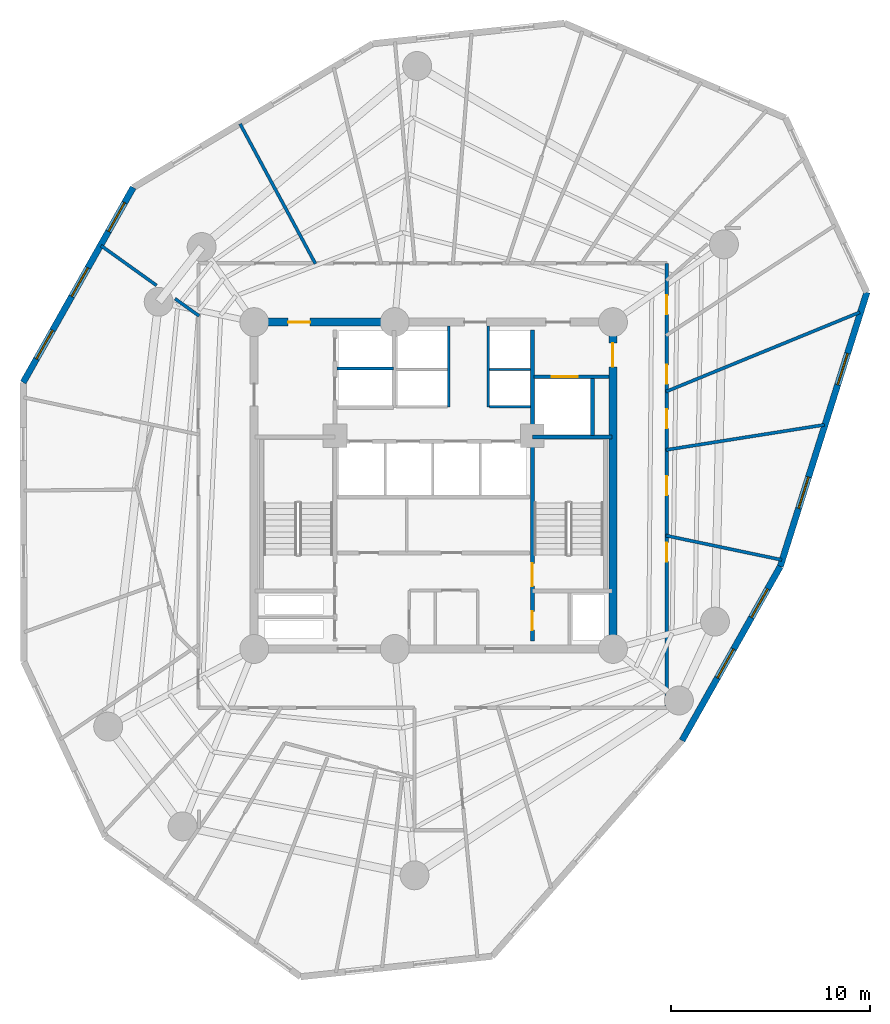
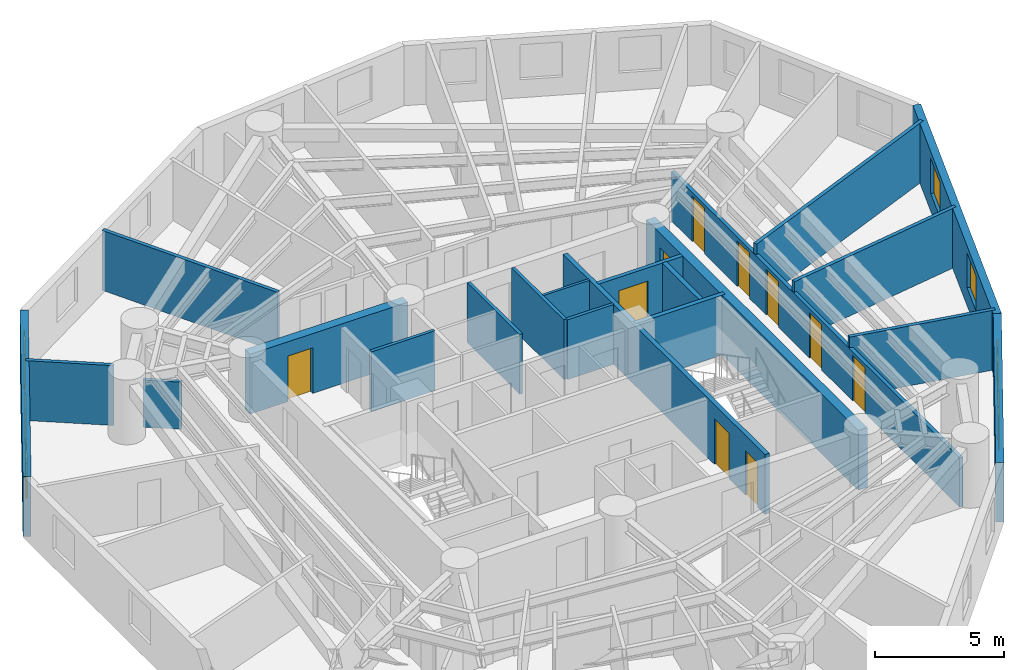
# One storey, part 5 of 8: 21 walls, 10 doors, 7 windows, 17 openings.
"""IFC4 building model written with IfcOpenShell, lengths in metres."""

import ifcopenshell
import ifcopenshell.guid

model = None  # the IFC model being written
_history = None  # IfcOwnerHistory: only IFC2X3 demands one
_inside = {}  # id of a spatial element -> (the spatial element, [elements in it])
_under = {}  # id of a project, library or spatial element -> (it, [spatial elements below it])
_declared = {}  # id of a project -> (the project, [libraries it declares])
_typed = {}  # id of a type object -> (the type object, [elements of that type])
_made_of = {}  # id of a material, layer set ... -> (it, [elements and type objects made of it])


def new_model(schema):
    """Start an empty IFC model of exactly this schema.

    Asked for "IFC4X3", IfcOpenShell would pick the latest addendum, in which some entities
    have other attributes; the version numbers below select the first issue.
    IFC2X3 requires an IfcOwnerHistory on every rooted entity: one is made here for all.
    """
    global model, _history
    if schema == "IFC4X3":
        model = ifcopenshell.file(schema_version=(4, 3, 0, 0))
    else:
        model = ifcopenshell.file(schema=schema)
    _inside.clear()
    _under.clear()
    _declared.clear()
    _typed.clear()
    _made_of.clear()
    _history = None
    if model.schema == "IFC2X3":
        org = make("IfcOrganization", Name="unknown")
        user = make(
            "IfcPersonAndOrganization",
            ThePerson=make("IfcPerson", FamilyName="unknown"),
            TheOrganization=org,
        )
        app = make(
            "IfcApplication",
            ApplicationDeveloper=org,
            Version="unknown",
            ApplicationFullName="unknown",
            ApplicationIdentifier="unknown",
        )
        _history = make(
            "IfcOwnerHistory",
            OwningUser=user,
            OwningApplication=app,
            ChangeAction="ADDED",
            CreationDate=0,
        )
    return model


def make(cls, **values):
    """One entity of the class cls with the attributes given. An attribute that is None is left unset."""
    return model.create_entity(
        cls, **{name: value for name, value in values.items() if value is not None}
    )


def rooted(cls, **values):
    """An entity with a GlobalId (a new one), such as an element, a storey or a relation."""
    return make(cls, GlobalId=ifcopenshell.guid.new(), OwnerHistory=_history, **values)


def si_unit(unit_type, name, prefix=None):
    """IfcSIUnit, for example si_unit("LENGTHUNIT", "METRE", prefix="MILLI")."""
    return make("IfcSIUnit", UnitType=unit_type, Prefix=prefix, Name=name)


def assignment(units):
    """IfcUnitAssignment: the units of a project."""
    return None if units is None else make("IfcUnitAssignment", Units=units)


def point(xyz):
    """IfcCartesianPoint."""
    return None if xyz is None else make("IfcCartesianPoint", Coordinates=xyz)


def direction(xyz):
    """IfcDirection."""
    return None if xyz is None else make("IfcDirection", DirectionRatios=xyz)


def frame(location, z_axis=None, x_axis=None):
    """IfcAxis2Placement3D, a coordinate frame: its origin and axes. An axis left out is left unset."""
    return make(
        "IfcAxis2Placement3D",
        Location=point(location),
        Axis=direction(z_axis),
        RefDirection=direction(x_axis),
    )


def frame_2d(location, x_axis=None):
    """IfcAxis2Placement2D, a coordinate frame in the plane: its origin and x axis."""
    return make(
        "IfcAxis2Placement2D", Location=point(location), RefDirection=direction(x_axis)
    )


def origin():
    """The frame at (0, 0, 0) with its axes left unset."""
    return frame((0.0, 0.0, 0.0))


def origin_with_axes():
    """The frame at (0, 0, 0) with the z axis (0, 0, 1) and the x axis (1, 0, 0) written out."""
    return frame((0.0, 0.0, 0.0), z_axis=(0.0, 0.0, 1.0), x_axis=(1.0, 0.0, 0.0))


def place(relative_to, where):
    """IfcLocalPlacement: puts the frame where relative to a parent placement (None: the world)."""
    return make(
        "IfcLocalPlacement", PlacementRelTo=relative_to, RelativePlacement=where
    )


def context(
    kind, dimensions, precision=None, world=None, true_north=None, identifier=None
):
    """IfcGeometricRepresentationContext, for example the 3D "Model" context."""
    return make(
        "IfcGeometricRepresentationContext",
        ContextIdentifier=identifier,
        ContextType=kind,
        CoordinateSpaceDimension=dimensions,
        Precision=precision,
        WorldCoordinateSystem=world,
        TrueNorth=true_north,
    )


def subcontext(parent, identifier, kind, view, scale=None):
    """IfcGeometricRepresentationSubContext, for example "Body" below "Model"."""
    return make(
        "IfcGeometricRepresentationSubContext",
        ContextIdentifier=identifier,
        ContextType=kind,
        ParentContext=parent,
        TargetScale=scale,
        TargetView=view,
    )


def project(units=None, contexts=None):
    """IfcProject with its units and contexts."""
    return rooted(
        "IfcProject",
        Name="project",
        RepresentationContexts=contexts,
        UnitsInContext=assignment(units),
    )


def spatial(cls, under=None, at=None, **own):
    """A site, building, storey or space (cls), placed at a placement, below another one or the project."""
    s = rooted(cls, ObjectPlacement=at, **own)
    if under is not None:
        _under.setdefault(under.id(), (under, []))[1].append(s)
    return s


def profile(cls, at=None, kind="AREA", **sizes):
    """A parametric profile (cls). Its sizes go by their IFC names, for example OverallWidth=200.0."""
    return make(cls, ProfileType=kind, Position=at, **sizes)


def rectangle(**sizes):
    """IfcRectangleProfileDef."""
    return profile("IfcRectangleProfileDef", **sizes)


def extrude(swept, where, along, depth):
    """IfcExtrudedAreaSolid: the profile swept, set in the frame where, extruded along a direction by depth."""
    return make(
        "IfcExtrudedAreaSolid",
        SweptArea=swept,
        Position=where,
        ExtrudedDirection=direction(along),
        Depth=depth,
    )


def shape(context_of_items, identifier, shape_type, items):
    """IfcShapeRepresentation: the items that make up one representation, for example the "Body"."""
    return make(
        "IfcShapeRepresentation",
        ContextOfItems=context_of_items,
        RepresentationIdentifier=identifier,
        RepresentationType=shape_type,
        Items=items,
    )


def source(mapping_origin, context_of_items, identifier, shape_type, items):
    """IfcRepresentationMap: a shape defined once, which mapped items show again and again."""
    return make(
        "IfcRepresentationMap",
        MappingOrigin=mapping_origin,
        MappedRepresentation=shape(context_of_items, identifier, shape_type, items),
    )


def transform(
    local_origin,
    x_axis=None,
    y_axis=None,
    z_axis=None,
    scale=None,
    scale2=None,
    scale3=None,
    uniform=True,
):
    """IfcCartesianTransformationOperator3D, or its non-uniform kind. x_axis, y_axis, z_axis: its Axis1, 2, 3."""
    if uniform:
        return make(
            "IfcCartesianTransformationOperator3D",
            Axis1=direction(x_axis),
            Axis2=direction(y_axis),
            LocalOrigin=point(local_origin),
            Scale=scale,
            Axis3=direction(z_axis),
        )
    return make(
        "IfcCartesianTransformationOperator3DnonUniform",
        Axis1=direction(x_axis),
        Axis2=direction(y_axis),
        LocalOrigin=point(local_origin),
        Scale=scale,
        Axis3=direction(z_axis),
        Scale2=scale2,
        Scale3=scale3,
    )


def mapped(mapping_source, mapping_target):
    """IfcMappedItem: shows the shape of a source again, moved by a transform."""
    return make(
        "IfcMappedItem", MappingSource=mapping_source, MappingTarget=mapping_target
    )


def material(Name=None, Category=None):
    """IfcMaterial."""
    return make("IfcMaterial", Name=Name, Category=Category)


def layer(
    of_material, thickness, ventilated=None, Name=None, Category=None, Priority=None
):
    """IfcMaterialLayer: one layer of a wall or slab, of a material (None: an air gap)."""
    return make(
        "IfcMaterialLayer",
        Material=of_material,
        LayerThickness=thickness,
        IsVentilated=ventilated,
        Name=Name,
        Category=Category,
        Priority=Priority,
    )


def layer_set(layers, Name=None):
    """IfcMaterialLayerSet."""
    return make("IfcMaterialLayerSet", MaterialLayers=layers, LayerSetName=Name)


def made_of(thing, what):
    """Note that an element or type object is made of a material, layer set ...; save() writes the relation."""
    if what is not None:
        _made_of.setdefault(what.id(), (what, []))[1].append(thing)
    return thing


def type_object(cls, material=None, **own):
    """A type object (cls), such as IfcWallType, which elements share."""
    return made_of(rooted(cls, **own), material)


def element(
    cls,
    number,
    at=None,
    inside=None,
    cuts=None,
    type_object=None,
    material=None,
    context=None,
    identifier="Body",
    shape_type=None,
    held_by="IfcProductDefinitionShape",
    body=None,
    shapes=None,
    **own,
):
    """One element of the class cls, such as IfcWall. Its Tag is "e" and its number.

    at: its placement. inside: the storey or other place that contains it. cuts: it is an
    opening in that element (IfcRelVoidsElement). A single representation is given by context,
    identifier, shape_type and body (its items); several are given by shapes. held_by: the class
    of the entity that holds the representations. save() writes the other relations.
    """
    e = rooted(cls, Tag="e%d" % number, ObjectPlacement=at, **own)
    if body is not None:
        shapes = [shape(context, identifier, shape_type, body)]
    if shapes is not None:
        e.Representation = make(held_by, Representations=shapes)
    if inside is not None:
        _inside.setdefault(inside.id(), (inside, []))[1].append(e)
    if cuts is not None:
        rooted(
            "IfcRelVoidsElement", RelatingBuildingElement=cuts, RelatedOpeningElement=e
        )
    if type_object is not None:
        _typed.setdefault(type_object.id(), (type_object, []))[1].append(e)
    return made_of(e, material)


def fill(opening, filler):
    """IfcRelFillsElement: the door or window that sits in an opening."""
    return rooted(
        "IfcRelFillsElement",
        RelatingOpeningElement=opening,
        RelatedBuildingElement=filler,
    )


def aggregate(whole, parts):
    """IfcRelAggregates: a whole, such as a stair, and the parts it consists of."""
    return rooted("IfcRelAggregates", RelatingObject=whole, RelatedObjects=parts)


def save(model, path):
    """Write the relations noted so far, then the file.

    IfcRelAggregates (storeys below a building ...), IfcRelContainedInSpatialStructure (elements
    in a storey), IfcRelDefinesByType, IfcRelAssociatesMaterial and IfcRelDeclares: one each for
    every whole, place, type object, material and project.
    """
    for whole, parts in _under.values():
        aggregate(whole, parts)
    for where, things in _inside.values():
        rooted(
            "IfcRelContainedInSpatialStructure",
            RelatedElements=things,
            RelatingStructure=where,
        )
    for kind, things in _typed.values():
        rooted("IfcRelDefinesByType", RelatedObjects=things, RelatingType=kind)
    for what, things in _made_of.values():
        rooted("IfcRelAssociatesMaterial", RelatedObjects=things, RelatingMaterial=what)
    for by, libraries in _declared.values():
        rooted("IfcRelDeclares", RelatingContext=by, RelatedDefinitions=libraries)
    model.write(path)


model = new_model("IFC4")

# Units and contexts
model_context = context("Model", 3, precision=1e-05, world=origin(), true_north=direction((0.0, 1.0)))
body_context = subcontext(model_context, "Body", "Model", "MODEL_VIEW")
ifc_project = project(units=[si_unit("LENGTHUNIT", "METRE"), si_unit("AREAUNIT", "SQUARE_METRE"), si_unit("VOLUMEUNIT", "CUBIC_METRE"), si_unit("PLANEANGLEUNIT", "RADIAN"), si_unit("MASSUNIT", "GRAM", prefix="KILO")], contexts=[model_context])

# Site, building, storey
site_placement = place(None, origin())
site = spatial("IfcSite", under=ifc_project, at=site_placement, CompositionType="ELEMENT")
building_placement = place(site_placement, origin())
building = spatial("IfcBuilding", under=site, at=building_placement, Name="Karkom Vertical University and Central Library", CompositionType="ELEMENT")
storey_placement = place(building_placement, frame((0.0, 0.0, 114.5)))
storey = spatial("IfcBuildingStorey", under=building, at=storey_placement, Name="L31", CompositionType="ELEMENT", Elevation=114.5)

# Wall, openings, windows
ifc_material_1 = material(Name="Brick-faced precast concrete C45/55", Category="masonry")
ifc_layer_1 = layer(ifc_material_1, 0.320068359375)
ifc_layer_set_1 = layer_set([ifc_layer_1], Name="Brick-faced precast concrete C45/55")
wall_type_1 = type_object("IfcWallType", Name="ENV-WL-BRK-320", PredefinedType="SOLIDWALL", material=ifc_layer_set_1)
wall_1_placement = place(storey_placement, frame((13.42919921875, 41.454345703125, 0.0), z_axis=(0.0, 0.0, 1.0), x_axis=(-0.491515668791, -0.870868731401, 0.0)))
wall_1 = element("IfcWall", 1, at=wall_1_placement, inside=storey, type_object=wall_type_1, Name="Level 31 Brick-Faced Precast Facade Wall 01", PredefinedType="SOLIDWALL", context=body_context, shape_type="SweptSolid", body=[
    extrude(rectangle(XDim=11.231689453125, YDim=0.320068359375, at=frame_2d((5.61572265625, 0.0))), origin(), (0.0, 0.0, 1.0), 2.824951171875),
])
opening_1_placement = place(wall_1_placement, frame((0.873779296875, 0.0, 0.85009765625)))
opening_1 = element("IfcOpeningElement", 2, at=opening_1_placement, cuts=wall_1, Name="Opening WN-06", PredefinedType="OPENING", context=body_context, shape_type="SweptSolid", body=[
    extrude(rectangle(XDim=1.64990234375, YDim=1.64990234375, at=frame_2d((0.824951171875, 0.824951171875))), frame((0.0, 0.169921875, 0.0), z_axis=(0.0, -1.0, 0.0), x_axis=(1.0, 0.0, 0.0)), (0.0, 0.0, 1.0), 0.340087890625),
])
opening_2_placement = place(wall_1_placement, frame((4.63134765625, 0.0, 0.85009765625)))
opening_2 = element("IfcOpeningElement", 3, at=opening_2_placement, cuts=wall_1, Name="Opening WN-06", PredefinedType="OPENING", context=body_context, shape_type="SweptSolid", body=[
    extrude(rectangle(XDim=1.64990234375, YDim=1.64990234375, at=frame_2d((0.824951171875, 0.824951171875))), frame((0.0, 0.169921875, 0.0), z_axis=(0.0, -1.0, 0.0), x_axis=(1.0, 0.0, 0.0)), (0.0, 0.0, 1.0), 0.340087890625),
])
opening_3_placement = place(wall_1_placement, frame((8.228271484375, 0.0, 0.85009765625)))
opening_3 = element("IfcOpeningElement", 4, at=opening_3_placement, cuts=wall_1, Name="Opening WN-06", PredefinedType="OPENING", context=body_context, shape_type="SweptSolid", body=[
    extrude(rectangle(XDim=1.64990234375, YDim=1.64990234375, at=frame_2d((0.824951171875, 0.824951171875))), frame((0.0, 0.169921875, 0.0), z_axis=(0.0, -1.0, 0.0), x_axis=(1.0, 0.0, 0.0)), (0.0, 0.0, 1.0), 0.340087890625),
])
ifc_material_2 = material(Name="Aluminium thermal-break frame with solar-control IGU", Category="aluminium")
window_type = type_object("IfcWindowType", Name="ENV-WIN-WN-06", PartitioningType="SINGLE_PANEL", PredefinedType="WINDOW", material=ifc_material_2)
shared_shape_1 = source(origin_with_axes(), body_context, "Body", "SweptSolid", [
    extrude(rectangle(XDim=1.64990234375, YDim=1.64990234375, at=frame_2d((0.824951171875, 0.824951171875))), frame((0.0, 0.030029296875, 0.0), z_axis=(0.0, -1.0, 0.0), x_axis=(1.0, 0.0, 0.0)), (0.0, 0.0, 1.0), 0.06005859375),
])
window_1_placement = place(opening_1_placement, origin())
window_1 = element("IfcWindow", 5, at=window_1_placement, inside=storey, type_object=window_type, Name="Level 31 Punched Window 1.1", OverallHeight=1.64990234375, OverallWidth=1.64990234375, PartitioningType="SINGLE_PANEL", PredefinedType="WINDOW", context=body_context, shape_type="MappedRepresentation", body=[
    mapped(shared_shape_1, transform((0.0, 0.0, 0.0), scale=1.0)),
])
fill(opening_1, window_1)
window_2_placement = place(opening_2_placement, origin())
window_2 = element("IfcWindow", 6, at=window_2_placement, inside=storey, type_object=window_type, Name="Level 31 Punched Window 1.2", OverallHeight=1.64990234375, OverallWidth=1.64990234375, PartitioningType="SINGLE_PANEL", PredefinedType="WINDOW", context=body_context, shape_type="MappedRepresentation", body=[
    mapped(shared_shape_1, transform((0.0, 0.0, 0.0), scale=1.0)),
])
fill(opening_2, window_2)
window_3_placement = place(opening_3_placement, origin())
window_3 = element("IfcWindow", 7, at=window_3_placement, inside=storey, type_object=window_type, Name="Level 31 Punched Window 1.3", OverallHeight=1.64990234375, OverallWidth=1.64990234375, PartitioningType="SINGLE_PANEL", PredefinedType="WINDOW", context=body_context, shape_type="MappedRepresentation", body=[
    mapped(shared_shape_1, transform((0.0, 0.0, 0.0), scale=1.0)),
])
fill(opening_3, window_3)

wall_2_placement = place(storey_placement, frame((40.9658203125, 13.706787109375, 0.0), z_axis=(0.0, 0.0, 1.0), x_axis=(0.491514859514, 0.870869188155, 0.0)))
wall_2 = element("IfcWall", 8, at=wall_2_placement, inside=storey, type_object=wall_type_1, Name="Level 31 Brick-Faced Precast Facade Wall 07", PredefinedType="SOLIDWALL", context=body_context, shape_type="SweptSolid", body=[
    extrude(rectangle(XDim=10.028076171875, YDim=0.320068359375, at=frame_2d((5.01416015625, 0.0))), origin(), (0.0, 0.0, 1.0), 2.824951171875),
])
opening_4_placement = place(wall_2_placement, frame((3.613037109375, 0.0, 0.85009765625)))
opening_4 = element("IfcOpeningElement", 9, at=opening_4_placement, cuts=wall_2, Name="Opening WN-06", PredefinedType="OPENING", context=body_context, shape_type="SweptSolid", body=[
    extrude(rectangle(XDim=1.64990234375, YDim=1.64990234375, at=frame_2d((0.824951171875, 0.824951171875))), frame((0.0, 0.169921875, 0.0), z_axis=(0.0, -1.0, 0.0), x_axis=(1.0, 0.0, 0.0)), (0.0, 0.0, 1.0), 0.340087890625),
])
opening_5_placement = place(wall_2_placement, frame((7.086181640625, 0.0, 0.85009765625)))
opening_5 = element("IfcOpeningElement", 10, at=opening_5_placement, cuts=wall_2, Name="Opening WN-06", PredefinedType="OPENING", context=body_context, shape_type="SweptSolid", body=[
    extrude(rectangle(XDim=1.64990234375, YDim=1.64990234375, at=frame_2d((0.824951171875, 0.824951171875))), frame((0.0, 0.169921875, 0.0), z_axis=(0.0, -1.0, 0.0), x_axis=(1.0, 0.0, 0.0)), (0.0, 0.0, 1.0), 0.340087890625),
])
window_4_placement = place(opening_4_placement, origin())
window_4 = element("IfcWindow", 11, at=window_4_placement, inside=storey, type_object=window_type, Name="Level 31 Punched Window 7.1", OverallHeight=1.64990234375, OverallWidth=1.64990234375, PartitioningType="SINGLE_PANEL", PredefinedType="WINDOW", context=body_context, shape_type="MappedRepresentation", body=[
    mapped(shared_shape_1, transform((0.0, 0.0, 0.0), scale=1.0)),
])
fill(opening_4, window_4)
window_5_placement = place(opening_5_placement, origin())
window_5 = element("IfcWindow", 12, at=window_5_placement, inside=storey, type_object=window_type, Name="Level 31 Punched Window 7.2", OverallHeight=1.64990234375, OverallWidth=1.64990234375, PartitioningType="SINGLE_PANEL", PredefinedType="WINDOW", context=body_context, shape_type="MappedRepresentation", body=[
    mapped(shared_shape_1, transform((0.0, 0.0, 0.0), scale=1.0)),
])
fill(opening_5, window_5)

wall_3_placement = place(storey_placement, frame((45.894775390625, 22.43994140625, 0.0), z_axis=(0.0, 0.0, 1.0), x_axis=(0.301307931006, 0.953526890399, 0.0)))
wall_3 = element("IfcWall", 13, at=wall_3_placement, inside=storey, type_object=wall_type_1, Name="Level 31 Brick-Faced Precast Facade Wall 08", PredefinedType="SOLIDWALL", context=body_context, shape_type="SweptSolid", body=[
    extrude(rectangle(XDim=14.426025390625, YDim=0.320068359375, at=frame_2d((7.212890625, 0.0))), origin(), (0.0, 0.0, 1.0), 2.824951171875),
])
opening_6_placement = place(wall_3_placement, frame((3.055419921875, 0.0, 0.85009765625)))
opening_6 = element("IfcOpeningElement", 14, at=opening_6_placement, cuts=wall_3, Name="Opening WN-06", PredefinedType="OPENING", context=body_context, shape_type="SweptSolid", body=[
    extrude(rectangle(XDim=1.64990234375, YDim=1.64990234375, at=frame_2d((0.824951171875, 0.824951171875))), frame((0.0, 0.169921875, 0.0), z_axis=(0.0, -1.0, 0.0), x_axis=(1.0, 0.0, 0.0)), (0.0, 0.0, 1.0), 0.340087890625),
])
opening_7_placement = place(wall_3_placement, frame((9.55908203125, 0.0, 0.85009765625)))
opening_7 = element("IfcOpeningElement", 15, at=opening_7_placement, cuts=wall_3, Name="Opening WN-06", PredefinedType="OPENING", context=body_context, shape_type="SweptSolid", body=[
    extrude(rectangle(XDim=1.64990234375, YDim=1.64990234375, at=frame_2d((0.824951171875, 0.824951171875))), frame((0.0, 0.169921875, 0.0), z_axis=(0.0, -1.0, 0.0), x_axis=(1.0, 0.0, 0.0)), (0.0, 0.0, 1.0), 0.340087890625),
])
window_6_placement = place(opening_6_placement, origin())
window_6 = element("IfcWindow", 16, at=window_6_placement, inside=storey, type_object=window_type, Name="Level 31 Punched Window 8.1", OverallHeight=1.64990234375, OverallWidth=1.64990234375, PartitioningType="SINGLE_PANEL", PredefinedType="WINDOW", context=body_context, shape_type="MappedRepresentation", body=[
    mapped(shared_shape_1, transform((0.0, 0.0, 0.0), scale=1.0)),
])
fill(opening_6, window_6)
window_7_placement = place(opening_7_placement, origin())
window_7 = element("IfcWindow", 17, at=window_7_placement, inside=storey, type_object=window_type, Name="Level 31 Punched Window 8.2", OverallHeight=1.64990234375, OverallWidth=1.64990234375, PartitioningType="SINGLE_PANEL", PredefinedType="WINDOW", context=body_context, shape_type="MappedRepresentation", body=[
    mapped(shared_shape_1, transform((0.0, 0.0, 0.0), scale=1.0)),
])
fill(opening_7, window_7)

# Wall, openings, doors
ifc_material_3 = material(Name="Insulated metal-stud drywall 160mm", Category="gypsum")
ifc_layer_2 = layer(ifc_material_3, 0.159912109375)
ifc_layer_set_2 = layer_set([ifc_layer_2], Name="Insulated metal-stud drywall 160mm")
wall_type_2 = type_object("IfcWallType", Name="INT-WL-COR-160", PredefinedType="PARTITIONING", material=ifc_layer_set_2)
wall_4_placement = place(storey_placement, frame((40.199951171875, 37.64990234375, 0.0), z_axis=(0.0, 0.0, 1.0), x_axis=(0.0, -1.0, 0.0)))
wall_4 = element("IfcWall", 18, at=wall_4_placement, inside=storey, type_object=wall_type_2, Name="Level 31 Interior Partition Wall L31-CORW-CW-004", PredefinedType="PARTITIONING", context=body_context, shape_type="SweptSolid", body=[
    extrude(rectangle(XDim=22.2998046875, YDim=0.159912109375, at=frame_2d((11.14990234375, 0.0))), origin(), (0.0, 0.0, 1.0), 2.324951171875),
])
opening_8_placement = place(wall_4_placement, frame((14.02001953125, 0.0, 0.0)))
opening_8 = element("IfcOpeningElement", 19, at=opening_8_placement, cuts=wall_4, Name="Opening D-RM1", PredefinedType="OPENING", context=body_context, shape_type="SweptSolid", body=[
    extrude(rectangle(XDim=0.949951171875, YDim=2.14990234375, at=frame_2d((0.47509765625, 1.074951171875))), frame((0.0, 0.08984375, 0.0), z_axis=(0.0, -1.0, 0.0), x_axis=(1.0, 0.0, 0.0)), (0.0, 0.0, 1.0), 0.179931640625),
])
opening_9_placement = place(wall_4_placement, frame((10.675048828125, 0.0, 0.0)))
opening_9 = element("IfcOpeningElement", 20, at=opening_9_placement, cuts=wall_4, Name="Opening D-RM1", PredefinedType="OPENING", context=body_context, shape_type="SweptSolid", body=[
    extrude(rectangle(XDim=0.949951171875, YDim=2.14990234375, at=frame_2d((0.47509765625, 1.074951171875))), frame((0.0, 0.08984375, 0.0), z_axis=(0.0, -1.0, 0.0), x_axis=(1.0, 0.0, 0.0)), (0.0, 0.0, 1.0), 0.179931640625),
])
opening_10_placement = place(wall_4_placement, frame((7.330078125, 0.0, 0.0)))
opening_10 = element("IfcOpeningElement", 21, at=opening_10_placement, cuts=wall_4, Name="Opening D-RM1", PredefinedType="OPENING", context=body_context, shape_type="SweptSolid", body=[
    extrude(rectangle(XDim=0.949951171875, YDim=2.14990234375, at=frame_2d((0.47509765625, 1.074951171875))), frame((0.0, 0.08984375, 0.0), z_axis=(0.0, -1.0, 0.0), x_axis=(1.0, 0.0, 0.0)), (0.0, 0.0, 1.0), 0.179931640625),
])
opening_11_placement = place(wall_4_placement, frame((5.10009765625, 0.0, 0.0)))
opening_11 = element("IfcOpeningElement", 22, at=opening_11_placement, cuts=wall_4, Name="Opening D-RM1", PredefinedType="OPENING", context=body_context, shape_type="SweptSolid", body=[
    extrude(rectangle(XDim=0.949951171875, YDim=2.14990234375, at=frame_2d((0.47509765625, 1.074951171875))), frame((0.0, 0.08984375, 0.0), z_axis=(0.0, -1.0, 0.0), x_axis=(1.0, 0.0, 0.0)), (0.0, 0.0, 1.0), 0.179931640625),
])
opening_12_placement = place(wall_4_placement, frame((1.61181640625, 0.0, 0.0)))
opening_12 = element("IfcOpeningElement", 23, at=opening_12_placement, cuts=wall_4, Name="Opening D-RM1", PredefinedType="OPENING", context=body_context, shape_type="SweptSolid", body=[
    extrude(rectangle(XDim=0.949951171875, YDim=2.14990234375, at=frame_2d((0.47509765625, 1.074951171875))), frame((0.0, 0.08984375, 0.0), z_axis=(0.0, -1.0, 0.0), x_axis=(1.0, 0.0, 0.0)), (0.0, 0.0, 1.0), 0.179931640625),
])
ifc_material_4 = material(Name="Solid-core oak veneer door", Category="wood")
door_type_1 = type_object("IfcDoorType", Name="INT-DR-RM1", OperationType="NOTDEFINED", PredefinedType="DOOR", material=ifc_material_4)
shared_shape_2 = source(origin_with_axes(), body_context, "Body", "SweptSolid", [
    extrude(rectangle(XDim=0.949951171875, YDim=2.14990234375, at=frame_2d((0.47509765625, 1.074951171875))), frame((0.0, 0.02490234375, 0.0), z_axis=(0.0, -1.0, 0.0), x_axis=(1.0, 0.0, 0.0)), (0.0, 0.0, 1.0), 0.050048828125),
])
door_1_placement = place(opening_8_placement, origin())
door_1 = element("IfcDoor", 24, at=door_1_placement, inside=storey, type_object=door_type_1, Name="Level 31 Room Entry Door 120", OperationType="SINGLE_SWING_RIGHT", OverallHeight=2.14990234375, OverallWidth=0.949951171875, PredefinedType="DOOR", context=body_context, shape_type="MappedRepresentation", body=[
    mapped(shared_shape_2, transform((0.0, 0.0, 0.0), scale=1.0)),
])
fill(opening_8, door_1)
door_2_placement = place(opening_9_placement, origin())
door_2 = element("IfcDoor", 25, at=door_2_placement, inside=storey, type_object=door_type_1, Name="Level 31 Room Entry Door 130", OperationType="SINGLE_SWING_LEFT", OverallHeight=2.14990234375, OverallWidth=0.949951171875, PredefinedType="DOOR", context=body_context, shape_type="MappedRepresentation", body=[
    mapped(shared_shape_2, transform((0.0, 0.0, 0.0), scale=1.0)),
])
fill(opening_9, door_2)
door_3_placement = place(opening_10_placement, origin())
door_3 = element("IfcDoor", 26, at=door_3_placement, inside=storey, type_object=door_type_1, Name="Level 31 Room Entry Door 140", OperationType="SINGLE_SWING_RIGHT", OverallHeight=2.14990234375, OverallWidth=0.949951171875, PredefinedType="DOOR", context=body_context, shape_type="MappedRepresentation", body=[
    mapped(shared_shape_2, transform((0.0, 0.0, 0.0), scale=1.0)),
])
fill(opening_10, door_3)
door_4_placement = place(opening_11_placement, origin())
door_4 = element("IfcDoor", 27, at=door_4_placement, inside=storey, type_object=door_type_1, Name="Level 31 Room Entry Door 150", OperationType="SINGLE_SWING_LEFT", OverallHeight=2.14990234375, OverallWidth=0.949951171875, PredefinedType="DOOR", context=body_context, shape_type="MappedRepresentation", body=[
    mapped(shared_shape_2, transform((0.0, 0.0, 0.0), scale=1.0)),
])
fill(opening_11, door_4)
door_5_placement = place(opening_12_placement, origin())
door_5 = element("IfcDoor", 28, at=door_5_placement, inside=storey, type_object=door_type_1, Name="Level 31 Room Entry Door 160", OperationType="SINGLE_SWING_RIGHT", OverallHeight=2.14990234375, OverallWidth=0.949951171875, PredefinedType="DOOR", context=body_context, shape_type="MappedRepresentation", body=[
    mapped(shared_shape_2, transform((0.0, 0.0, 0.0), scale=1.0)),
])
fill(opening_12, door_5)

# Walls
wall_5_placement = place(storey_placement, frame((40.158203125, 31.2109375, 0.0), z_axis=(0.0, 0.0, 1.0), x_axis=(0.925373677238, 0.379056140269, 0.0)))
element("IfcWall", 29, at=wall_5_placement, inside=storey, type_object=wall_type_2, Name="Level 31 Interior Partition Wall L31-PW-024", PredefinedType="PARTITIONING", context=body_context, shape_type="SweptSolid", body=[
    extrude(rectangle(XDim=10.50927734375, YDim=0.159912109375, at=frame_2d((5.254638671875, 0.0))), origin(), (0.0, 0.0, 1.0), 2.824951171875),
])
wall_6_placement = place(storey_placement, frame((40.17041015625, 28.288818359375, 0.0), z_axis=(0.0, 0.0, 1.0), x_axis=(0.987677829482, 0.156500815174, 0.0)))
element("IfcWall", 30, at=wall_6_placement, inside=storey, type_object=wall_type_2, Name="Level 31 Interior Partition Wall L31-PW-023", PredefinedType="PARTITIONING", context=body_context, shape_type="SweptSolid", body=[
    extrude(rectangle(XDim=8.03564453125, YDim=0.159912109375, at=frame_2d((4.017822265625, 0.0))), origin(), (0.0, 0.0, 1.0), 2.824951171875),
])
wall_7_placement = place(storey_placement, frame((22.57421875, 37.62353515625, 0.0), z_axis=(0.0, 0.0, 1.0), x_axis=(-0.474353491448, 0.880334462095, 0.0)))
element("IfcWall", 31, at=wall_7_placement, inside=storey, type_object=wall_type_2, Name="Level 31 Interior Partition Wall L31-PW-036", PredefinedType="PARTITIONING", context=body_context, shape_type="SweptSolid", body=[
    extrude(rectangle(XDim=7.97705078125, YDim=0.159912109375, at=frame_2d((3.988525390625, 0.0))), origin(), (0.0, 0.0, 1.0), 2.824951171875),
])
wall_8_placement = place(storey_placement, frame((40.156005859375, 23.990478515625, 0.0), z_axis=(0.0, 0.0, 1.0), x_axis=(0.978643828529, -0.205563267345, 0.0)))
element("IfcWall", 32, at=wall_8_placement, inside=storey, type_object=wall_type_2, Name="Level 31 Interior Partition Wall L31-PW-022", PredefinedType="PARTITIONING", context=body_context, shape_type="SweptSolid", body=[
    extrude(rectangle(XDim=5.943115234375, YDim=0.159912109375, at=frame_2d((2.9716796875, 0.0))), origin(), (0.0, 0.0, 1.0), 2.824951171875),
])
wall_9_placement = place(storey_placement, frame((14.60107421875, 36.5390625, 0.0), z_axis=(0.0, 0.0, 1.0), x_axis=(-0.812708183776, 0.582670926015, 0.0)))
element("IfcWall", 33, at=wall_9_placement, inside=storey, type_object=wall_type_2, Name="Level 31 Interior Partition Wall L31-PW-038", PredefinedType="PARTITIONING", context=body_context, shape_type="SweptSolid", body=[
    extrude(rectangle(XDim=3.43115234375, YDim=0.159912109375, at=frame_2d((1.715576171875, 0.0))), origin(), (0.0, 0.0, 1.0), 2.824951171875),
])
wall_10_placement = place(storey_placement, frame((16.736572265625, 35.008056640625, 0.0), z_axis=(0.0, 0.0, 1.0), x_axis=(-0.812690241853, 0.582695950558, 0.0)))
element("IfcWall", 34, at=wall_10_placement, inside=storey, type_object=wall_type_2, Name="Level 31 Interior Partition Wall L31-PW-037", PredefinedType="PARTITIONING", context=body_context, shape_type="SweptSolid", body=[
    extrude(rectangle(XDim=1.48828125, YDim=0.159912109375, at=frame_2d((0.744140625, 0.0))), origin(), (0.0, 0.0, 1.0), 2.22509765625),
])
ifc_material_5 = material(Name="Moisture-resistant drywall 120mm", Category="gypsum")
ifc_layer_3 = layer(ifc_material_5, 0.1201171875)
ifc_layer_set_3 = layer_set([ifc_layer_3], Name="Moisture-resistant drywall 120mm")
wall_type_3 = type_object("IfcWallType", Name="INT-WL-INT-120H", PredefinedType="PARTITIONING", material=ifc_layer_set_3)
wall_11_placement = place(storey_placement, frame((31.300048828125, 32.320068359375, 0.0), z_axis=(0.0, 0.0, 1.0), x_axis=(1.0, 0.0, 0.0)))
element("IfcWall", 35, at=wall_11_placement, inside=storey, type_object=wall_type_3, Name="Level 31 Interior Partition Wall L31-CW-PH-ME", PredefinedType="PARTITIONING", context=body_context, shape_type="SweptSolid", body=[
    extrude(rectangle(XDim=2.074951171875, YDim=0.1201171875, at=frame_2d((1.03759765625, 0.0))), origin(), (0.0, 0.0, 1.0), 2.824951171875),
])
ifc_material_6 = material(Name="Metal-stud gypsum partition 140mm", Category="gypsum")
ifc_layer_4 = layer(ifc_material_6, 0.139892578125)
ifc_layer_set_4 = layer_set([ifc_layer_4], Name="Metal-stud gypsum partition 140mm")
wall_type_4 = type_object("IfcWallType", Name="INT-WL-SUB-140H", PredefinedType="PARTITIONING", material=ifc_layer_set_4)
for number, where, z_axis, x_axis, name in (
    (36, (29.260009765625, 30.449951171875, 0.0), (0.0, 0.0, 1.0), (0.0, 1.0, 0.0), "Level 31 Interior Partition Wall L31-CW-PH-W"),
    (37, (31.239990234375, 30.449951171875, 0.0), (0.0, 0.0, 1.0), (0.0, 1.0, 0.0), "Level 31 Interior Partition Wall L31-CW-PH-E"),
):
    element("IfcWall", number, at=place(storey_placement, frame(where, z_axis=z_axis, x_axis=x_axis)), inside=storey, type_object=wall_type_4, Name=name, PredefinedType="PARTITIONING", context=body_context, shape_type="SweptSolid", body=[
        extrude(rectangle(XDim=4.04296875, YDim=0.139892578125, at=frame_2d((2.021484375, 0.0))), origin(), (0.0, 0.0, 1.0), 2.824951171875),
    ])
wall_12_placement = place(storey_placement, frame((31.300048828125, 30.449951171875, 0.0), z_axis=(0.0, 0.0, 1.0), x_axis=(1.0, 0.0, 0.0)))
element("IfcWall", 38, at=wall_12_placement, inside=storey, type_object=wall_type_4, Name="Level 31 Interior Partition Wall L31-CW-PH-S2", PredefinedType="PARTITIONING", context=body_context, shape_type="SweptSolid", body=[
    extrude(rectangle(XDim=2.074951171875, YDim=0.139892578125, at=frame_2d((1.03759765625, 0.0))), origin(), (0.0, 0.0, 1.0), 2.824951171875),
])
ifc_layer_5 = layer(ifc_material_6, 0.139892578125)
ifc_layer_set_5 = layer_set([ifc_layer_5], Name="Metal-stud gypsum partition 140mm")
wall_type_5 = type_object("IfcWallType", Name="INT-WL-SUB-140X", PredefinedType="PARTITIONING", material=ifc_layer_set_5)
wall_13_placement = place(storey_placement, frame((23.652099609375, 32.3701171875, 0.0), z_axis=(0.0, 0.0, 1.0), x_axis=(1.0, 0.0, 0.0)))
element("IfcWall", 39, at=wall_13_placement, inside=storey, type_object=wall_type_5, Name="Level 31 Interior Partition Wall L31-CW-FFL-M", PredefinedType="PARTITIONING", context=body_context, shape_type="SweptSolid", body=[
    extrude(rectangle(XDim=2.827880859375, YDim=0.139892578125, at=frame_2d((1.4140625, 0.0))), origin(), (0.0, 0.0, 1.0), 2.824951171875),
])

# Wall, opening, door
ifc_material_7 = material(Name="Twin-stud acoustic drywall 180mm", Category="gypsum")
ifc_layer_6 = layer(ifc_material_7, 0.179931640625)
ifc_layer_set_6 = layer_set([ifc_layer_6], Name="Twin-stud acoustic drywall 180mm")
wall_type_6 = type_object("IfcWallType", Name="INT-WL-TEN-180F", PredefinedType="PARTITIONING", material=ifc_layer_set_6)
wall_14_placement = place(storey_placement, frame((33.534912109375, 31.949951171875, 0.0), z_axis=(0.0, 0.0, 1.0), x_axis=(1.0, 0.0, 0.0)))
wall_14 = element("IfcWall", 40, at=wall_14_placement, inside=storey, type_object=wall_type_6, Name="Level 31 Interior Partition Wall L31-CW-SVL-N", PredefinedType="PARTITIONING", context=body_context, shape_type="SweptSolid", body=[
    extrude(rectangle(XDim=3.7587890625, YDim=0.179931640625, at=frame_2d((1.87939453125, 0.0))), origin(), (0.0, 0.0, 1.0), 2.824951171875),
])
opening_13_placement = place(wall_14_placement, frame((0.89990234375, 0.0, 0.0)))
opening_13 = element("IfcOpeningElement", 41, at=opening_13_placement, cuts=wall_14, Name="Opening LD-SV1", PredefinedType="OPENING", context=body_context, shape_type="SweptSolid", body=[
    extrude(rectangle(XDim=1.300048828125, YDim=2.199951171875, at=frame_2d((0.64990234375, 1.10009765625))), frame((0.0, 0.10009765625, 0.0), z_axis=(0.0, -1.0, 0.0), x_axis=(1.0, 0.0, 0.0)), (0.0, 0.0, 1.0), 0.199951171875),
])
ifc_material_8 = material(Name="Brushed stainless-steel landing door", Category="steel")
door_type_2 = type_object("IfcDoorType", Name="INT-DR-LD-SV1", OperationType="SLIDING_TO_LEFT", PredefinedType="DOOR", material=ifc_material_8)
shared_shape_3 = source(origin_with_axes(), body_context, "Body", "SweptSolid", [
    extrude(rectangle(XDim=1.300048828125, YDim=2.199951171875, at=frame_2d((0.64990234375, 1.10009765625))), frame((0.0, 0.02490234375, 0.0), z_axis=(0.0, -1.0, 0.0), x_axis=(1.0, 0.0, 0.0)), (0.0, 0.0, 1.0), 0.050048828125),
])
door_6_placement = place(opening_13_placement, origin())
door_6 = element("IfcDoor", 42, at=door_6_placement, inside=storey, type_object=door_type_2, Name="Level 31 Service Lift Landing Door LD-SV1", OperationType="SLIDING_TO_LEFT", OverallHeight=2.199951171875, OverallWidth=1.300048828125, PredefinedType="DOOR", context=body_context, shape_type="MappedRepresentation", body=[
    mapped(shared_shape_3, transform((0.0, 0.0, 0.0), scale=1.0)),
])
fill(opening_13, door_6)

ifc_material_9 = material(Name="Concrete C50/60", Category="concrete")
ifc_layer_7 = layer(ifc_material_9, 0.39990234375)
ifc_layer_set_7 = layer_set([ifc_layer_7], Name="Concrete C50/60")
wall_type_7 = type_object("IfcWallType", Name="STR-WL-CW-400", PredefinedType="SHEAR", material=ifc_layer_set_7)
wall_15_placement = place(storey_placement, frame((37.5, 18.300048828125, 0.0), z_axis=(0.0, 0.0, 1.0), x_axis=(0.0, 1.0, 0.0)))
wall_15 = element("IfcWall", 43, at=wall_15_placement, inside=storey, type_object=wall_type_7, Name="Level 31 Central Core Shear Wall EW", PredefinedType="SHEAR", context=body_context, shape_type="SweptSolid", body=[
    extrude(rectangle(XDim=16.39990234375, YDim=0.39990234375, at=frame_2d((8.199951171875, 0.0))), origin(), (0.0, 0.0, 1.0), 2.824951171875),
])
opening_14_placement = place(wall_15_placement, frame((14.14990234375, 0.0, 0.0)))
opening_14 = element("IfcOpeningElement", 44, at=opening_14_placement, cuts=wall_15, Name="Opening FD-SUB1", PredefinedType="OPENING", context=body_context, shape_type="SweptSolid", body=[
    extrude(rectangle(XDim=1.199951171875, YDim=2.14990234375, at=frame_2d((0.60009765625, 1.074951171875))), frame((0.0, 0.2099609375, 0.0), z_axis=(0.0, -1.0, 0.0), x_axis=(1.0, 0.0, 0.0)), (0.0, 0.0, 1.0), 0.419921875),
])
ifc_material_10 = material(Name="Painted steel fire door", Category="steel")
door_type_3 = type_object("IfcDoorType", Name="INT-DR-SUB1", OperationType="NOTDEFINED", PredefinedType="DOOR", material=ifc_material_10)
shared_shape_4 = source(origin_with_axes(), body_context, "Body", "SweptSolid", [
    extrude(rectangle(XDim=1.199951171875, YDim=2.14990234375, at=frame_2d((0.60009765625, 1.074951171875))), frame((0.0, 0.02490234375, 0.0), z_axis=(0.0, -1.0, 0.0), x_axis=(1.0, 0.0, 0.0)), (0.0, 0.0, 1.0), 0.050048828125),
])
door_7_placement = place(opening_14_placement, origin())
door_7 = element("IfcDoor", 45, at=door_7_placement, inside=storey, type_object=door_type_3, Name="Level 31 East Corridor Service Lobby Door", OperationType="SINGLE_SWING_LEFT", OverallHeight=2.14990234375, OverallWidth=1.199951171875, PredefinedType="DOOR", context=body_context, shape_type="MappedRepresentation", body=[
    mapped(shared_shape_4, transform((0.0, 0.0, 0.0), scale=1.0)),
])
fill(opening_14, door_7)

wall_16_placement = place(storey_placement, frame((26.550048828125, 34.699951171875, 0.0), z_axis=(0.0, 0.0, 1.0), x_axis=(-1.0, 0.0, 0.0)))
wall_16 = element("IfcWall", 46, at=wall_16_placement, inside=storey, type_object=wall_type_7, Name="Level 31 Central Core Shear Wall NW2", PredefinedType="SHEAR", context=body_context, shape_type="SweptSolid", body=[
    extrude(rectangle(XDim=7.050048828125, YDim=0.39990234375, at=frame_2d((3.52490234375, 0.0))), origin(), (0.0, 0.0, 1.0), 2.824951171875),
])
opening_15_placement = place(wall_16_placement, frame((4.25, 0.0, 0.0)))
opening_15 = element("IfcOpeningElement", 47, at=opening_15_placement, cuts=wall_16, Name="Opening FD-FFL", PredefinedType="OPENING", context=body_context, shape_type="SweptSolid", body=[
    extrude(rectangle(XDim=1.10009765625, YDim=2.14990234375, at=frame_2d((0.550048828125, 1.074951171875))), frame((0.0, 0.2099609375, 0.0), z_axis=(0.0, -1.0, 0.0), x_axis=(1.0, 0.0, 0.0)), (0.0, 0.0, 1.0), 0.419921875),
])
ifc_material_11 = material(Name="Painted steel smoke-seal fire door", Category="steel")
door_type_4 = type_object("IfcDoorType", Name="INT-DR-FFL", OperationType="NOTDEFINED", PredefinedType="DOOR", material=ifc_material_11)
shared_shape_5 = source(origin_with_axes(), body_context, "Body", "SweptSolid", [
    extrude(rectangle(XDim=1.10009765625, YDim=2.14990234375, at=frame_2d((0.550048828125, 1.074951171875))), frame((0.0, 0.02490234375, 0.0), z_axis=(0.0, -1.0, 0.0), x_axis=(1.0, 0.0, 0.0)), (0.0, 0.0, 1.0), 0.050048828125),
])
door_8_placement = place(opening_15_placement, origin())
door_8 = element("IfcDoor", 48, at=door_8_placement, inside=storey, type_object=door_type_4, Name="Level 31 Firefighting Lobby Door", OperationType="SINGLE_SWING_LEFT", OverallHeight=2.14990234375, OverallWidth=1.10009765625, PredefinedType="DOOR", context=body_context, shape_type="MappedRepresentation", body=[
    mapped(shared_shape_5, transform((0.0, 0.0, 0.0), scale=1.0)),
])
fill(opening_15, door_8)

# Wall, openings, doors
ifc_material_12 = material(Name="Concrete C45/55", Category="concrete")
ifc_layer_8 = layer(ifc_material_12, 0.199951171875)
ifc_layer_set_8 = layer_set([ifc_layer_8], Name="Concrete C45/55")
wall_type_8 = type_object("IfcWallType", Name="STR-WL-ST-200", PredefinedType="SHEAR", material=ifc_layer_set_8)
wall_17_placement = place(storey_placement, frame((33.455078125, 18.699951171875, 0.0), z_axis=(0.0, 0.0, 1.0), x_axis=(0.0, 1.0, 0.0)))
wall_17 = element("IfcWall", 49, at=wall_17_placement, inside=storey, type_object=wall_type_8, Name="Level 31 Core Shaft Wall L31-CW-ST2-W", PredefinedType="SHEAR", context=body_context, shape_type="SweptSolid", body=[
    extrude(rectangle(XDim=15.60009765625, YDim=0.199951171875, at=frame_2d((7.800048828125, 0.0))), origin(), (0.0, 0.0, 1.0), 2.824951171875),
])
opening_16_placement = place(wall_17_placement, frame((2.75, 0.0, 0.0)))
opening_16 = element("IfcOpeningElement", 50, at=opening_16_placement, cuts=wall_17, Name="Opening FD-ST1", PredefinedType="OPENING", context=body_context, shape_type="SweptSolid", body=[
    extrude(rectangle(XDim=1.14990234375, YDim=2.14990234375, at=frame_2d((0.574951171875, 1.074951171875))), frame((0.0, 0.10986328125, 0.0), z_axis=(0.0, -1.0, 0.0), x_axis=(1.0, 0.0, 0.0)), (0.0, 0.0, 1.0), 0.219970703125),
])
opening_17_placement = place(wall_17_placement, frame((0.550048828125, 0.0, 0.0)))
opening_17 = element("IfcOpeningElement", 51, at=opening_17_placement, cuts=wall_17, Name="Opening D-WC1", PredefinedType="OPENING", context=body_context, shape_type="SweptSolid", body=[
    extrude(rectangle(XDim=0.93994140625, YDim=2.10009765625, at=frame_2d((0.469970703125, 1.050048828125))), frame((0.0, 0.10986328125, 0.0), z_axis=(0.0, -1.0, 0.0), x_axis=(1.0, 0.0, 0.0)), (0.0, 0.0, 1.0), 0.219970703125),
])
ifc_material_13 = material(Name="Painted steel acoustic fire door", Category="steel")
door_type_5 = type_object("IfcDoorType", Name="INT-DR-ST1", OperationType="NOTDEFINED", PredefinedType="DOOR", material=ifc_material_13)
shared_shape_6 = source(origin_with_axes(), body_context, "Body", "SweptSolid", [
    extrude(rectangle(XDim=1.14990234375, YDim=2.14990234375, at=frame_2d((0.574951171875, 1.074951171875))), frame((0.0, 0.02490234375, 0.0), z_axis=(0.0, -1.0, 0.0), x_axis=(1.0, 0.0, 0.0)), (0.0, 0.0, 1.0), 0.050048828125),
])
door_9_placement = place(opening_16_placement, origin())
door_9 = element("IfcDoor", 52, at=door_9_placement, inside=storey, type_object=door_type_5, Name="Level 31 Stair ST-2 Fire Door", OperationType="SINGLE_SWING_RIGHT", OverallHeight=2.14990234375, OverallWidth=1.14990234375, PredefinedType="DOOR", context=body_context, shape_type="MappedRepresentation", body=[
    mapped(shared_shape_6, transform((0.0, 0.0, 0.0), scale=1.0)),
])
fill(opening_16, door_9)
ifc_material_14 = material(Name="Fire-rated laminate moisture-resistant door", Category="wood")
door_type_6 = type_object("IfcDoorType", Name="INT-DR-WC1", OperationType="NOTDEFINED", PredefinedType="DOOR", material=ifc_material_14)
shared_shape_7 = source(origin_with_axes(), body_context, "Body", "SweptSolid", [
    extrude(rectangle(XDim=0.93994140625, YDim=2.10009765625, at=frame_2d((0.469970703125, 1.050048828125))), frame((0.0, 0.02490234375, 0.0), z_axis=(0.0, -1.0, 0.0), x_axis=(1.0, 0.0, 0.0)), (0.0, 0.0, 1.0), 0.050048828125),
])
door_10_placement = place(opening_17_placement, origin())
door_10 = element("IfcDoor", 53, at=door_10_placement, inside=storey, type_object=door_type_6, Name="Level 31 Accessible WC Door", OperationType="SINGLE_SWING_LEFT", OverallHeight=2.10009765625, OverallWidth=0.93994140625, PredefinedType="DOOR", context=body_context, shape_type="MappedRepresentation", body=[
    mapped(shared_shape_7, transform((0.0, 0.0, 0.0), scale=1.0)),
])
fill(opening_17, door_10)

# Walls
wall_18_placement = place(storey_placement, frame((33.455078125, 28.925048828125, 0.0), z_axis=(0.0, 0.0, 1.0), x_axis=(1.0, 0.0, 0.0)))
element("IfcWall", 54, at=wall_18_placement, inside=storey, type_object=wall_type_8, Name="Level 31 Core Shaft Wall L31-CW-ST2-N", PredefinedType="SHEAR", context=body_context, shape_type="SweptSolid", body=[
    extrude(rectangle(XDim=3.994873046875, YDim=0.199951171875, at=frame_2d((1.99755859375, 0.0))), origin(), (0.0, 0.0, 1.0), 2.824951171875),
])
wall_19_placement = place(storey_placement, frame((36.47998046875, 29.02001953125, 0.0), z_axis=(0.0, 0.0, 1.0), x_axis=(0.0, 1.0, 0.0)))
element("IfcWall", 55, at=wall_19_placement, inside=storey, type_object=wall_type_8, Name="Level 31 Core Shaft Wall L31-CW-SVL-E", PredefinedType="SHEAR", context=body_context, shape_type="SweptSolid", body=[
    extrude(rectangle(XDim=2.85986328125, YDim=0.199951171875, at=frame_2d((1.429931640625, 0.0))), origin(), (0.0, 0.0, 1.0), 2.824951171875),
])

save(model, "model.ifc")
